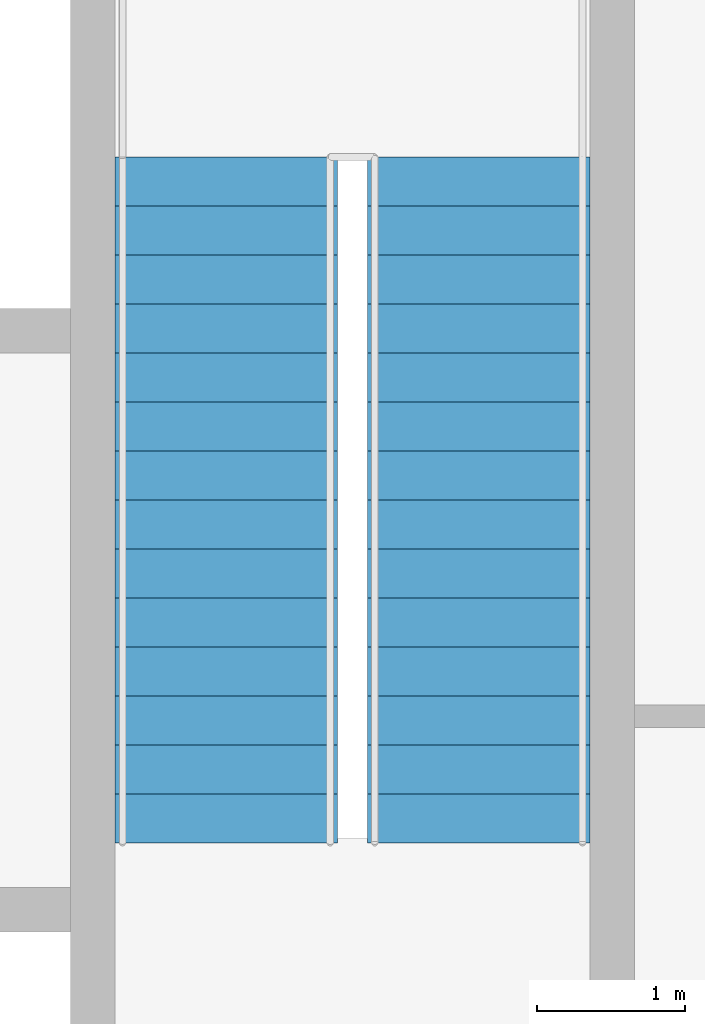
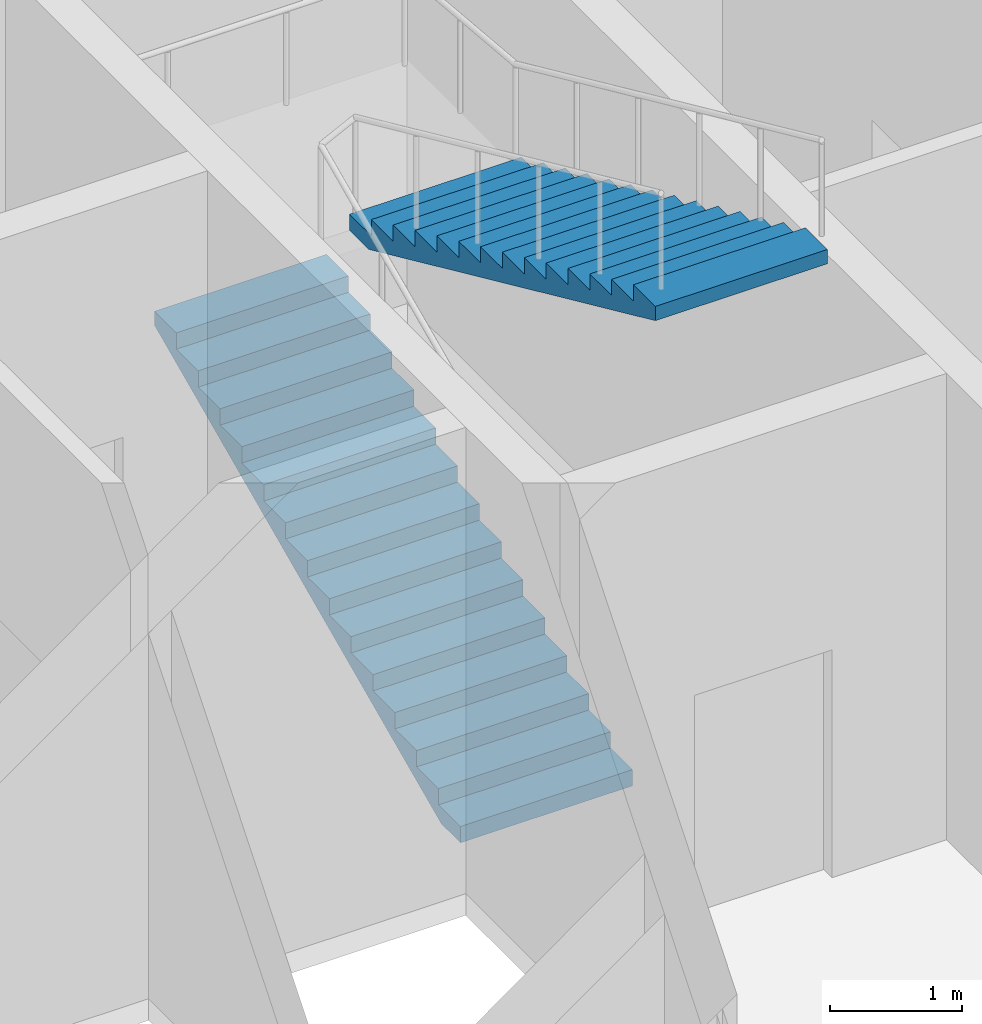
# One storey, part 10 of 11: 2 stair flights, 1 element without a shape of its own.
"""IFC4 building model written with IfcOpenShell, lengths in metres."""

from ifc_helpers import new_model, si_unit, direction, frame, origin, place, context, subcontext, project, spatial, polygons, material, type_object, element, aggregate, save


model = new_model("IFC4")

# Units and contexts
model_context = context("Model", 3, precision=1e-05, world=origin(), true_north=direction((0.0, 1.0)))
body_context = subcontext(model_context, "Body", "Model", "MODEL_VIEW")
ifc_project = project(units=[si_unit("LENGTHUNIT", "METRE"), si_unit("AREAUNIT", "SQUARE_METRE"), si_unit("VOLUMEUNIT", "CUBIC_METRE"), si_unit("PLANEANGLEUNIT", "RADIAN"), si_unit("MASSUNIT", "GRAM", prefix="KILO")], contexts=[model_context])

# Site, building, storey
site_placement = place(None, origin())
site = spatial("IfcSite", under=ifc_project, at=site_placement, CompositionType="ELEMENT")
building_placement = place(site_placement, origin())
building = spatial("IfcBuilding", under=site, at=building_placement, Name="Njiva Tower", CompositionType="ELEMENT")
storey_placement = place(building_placement, frame((0.0, 0.0, 102.3)))
storey = spatial("IfcBuildingStorey", under=building, at=storey_placement, Name="L21", CompositionType="ELEMENT", Elevation=102.3)

# Stair, stair flights
ifc_material = material(Name="Concrete C40/50", Category="concrete")
stair_type = type_object("IfcStairType", Name="ST4 Exit stair 1500", PredefinedType="HALF_TURN_STAIR", material=ifc_material)
stair_placement = place(storey_placement, origin())
stair = element("IfcStair", 1, at=stair_placement, inside=storey, type_object=stair_type, Name="Stair B", PredefinedType="HALF_TURN_STAIR")
stair_flight_type = type_object("IfcStairFlightType", Name="FL4 Stair flight 1500", PredefinedType="STRAIGHT", material=ifc_material)
stair_flight_1_placement = place(storey_placement, frame((11.75, 11.1, 0.0), z_axis=(0.0, 0.0, 1.0), x_axis=(0.0, 1.0, 0.0)))
stair_flight_1 = element("IfcStairFlight", 2, at=stair_flight_1_placement, type_object=stair_flight_type, Name="ST-B flight 1", NumberOfRisers=15, NumberOfTreads=14, PredefinedType="STRAIGHT", RiserHeight=0.15, TreadLength=0.33, context=body_context, shape_type="Tessellation", body=[
    polygons([(0.0, 0.75, 0.0), (0.0, 0.375, 0.0), (0.0, 0.0, 0.0), (0.0, -0.375, 0.0), (0.0, -0.75, 0.0), (0.0, 0.75, 0.15), (0.0, 0.375, 0.15), (0.0, 0.0, 0.15), (0.0, -0.375, 0.15), (0.0, -0.75, 0.15), (0.33, 0.75, 0.15), (0.33, 0.375, 0.15), (0.33, 0.0, 0.15), (0.33, -0.375, 0.15), (0.33, -0.75, 0.15), (0.33, 0.75, 0.3), (0.33, 0.375, 0.3), (0.33, 0.0, 0.3), (0.33, -0.375, 0.3), (0.33, -0.75, 0.3), (0.66, 0.75, 0.3), (0.66, 0.375, 0.3), (0.66, 0.0, 0.3), (0.66, -0.375, 0.3), (0.66, -0.75, 0.3), (0.66, 0.75, 0.45), (0.66, 0.375, 0.45), (0.66, 0.0, 0.45), (0.66, -0.375, 0.45), (0.66, -0.75, 0.45), (0.99, 0.75, 0.45), (0.99, 0.375, 0.45), (0.99, 0.0, 0.45), (0.99, -0.375, 0.45), (0.99, -0.75, 0.45), (0.99, 0.75, 0.6), (0.99, 0.375, 0.6), (0.99, 0.0, 0.6), (0.99, -0.375, 0.6), (0.99, -0.75, 0.6), (1.32, 0.75, 0.6), (1.32, 0.375, 0.6), (1.32, 0.0, 0.6), (1.32, -0.375, 0.6), (1.32, -0.75, 0.6), (1.32, 0.75, 0.75), (1.32, 0.375, 0.75), (1.32, 0.0, 0.75), (1.32, -0.375, 0.75), (1.32, -0.75, 0.75), (1.65, 0.75, 0.75), (1.65, 0.375, 0.75), (1.65, 0.0, 0.75), (1.65, -0.375, 0.75), (1.65, -0.75, 0.75), (1.65, 0.75, 0.9), (1.65, 0.375, 0.9), (1.65, 0.0, 0.9), (1.65, -0.375, 0.9), (1.65, -0.75, 0.9), (1.98, 0.75, 0.9), (1.98, 0.375, 0.9), (1.98, 0.0, 0.9), (1.98, -0.375, 0.9), (1.98, -0.75, 0.9), (1.98, 0.75, 1.05), (1.98, 0.375, 1.05), (1.98, 0.0, 1.05), (1.98, -0.375, 1.05), (1.98, -0.75, 1.05), (2.31, 0.75, 1.05), (2.31, 0.375, 1.05), (2.31, 0.0, 1.05), (2.31, -0.375, 1.05), (2.31, -0.75, 1.05), (2.31, 0.75, 1.2), (2.31, 0.375, 1.2), (2.31, 0.0, 1.2), (2.31, -0.375, 1.2), (2.31, -0.75, 1.2), (2.64, 0.75, 1.2), (2.64, 0.375, 1.2), (2.64, 0.0, 1.2), (2.64, -0.375, 1.2), (2.64, -0.75, 1.2), (2.64, 0.75, 1.35), (2.64, 0.375, 1.35), (2.64, 0.0, 1.35), (2.64, -0.375, 1.35), (2.64, -0.75, 1.35), (2.97, 0.75, 1.35), (2.97, 0.375, 1.35), (2.97, 0.0, 1.35), (2.97, -0.375, 1.35), (2.97, -0.75, 1.35), (2.97, 0.75, 1.5), (2.97, 0.375, 1.5), (2.97, 0.0, 1.5), (2.97, -0.375, 1.5), (2.97, -0.75, 1.5), (3.3, 0.75, 1.5), (3.3, 0.375, 1.5), (3.3, 0.0, 1.5), (3.3, -0.375, 1.5), (3.3, -0.75, 1.5), (3.3, 0.75, 1.65), (3.3, 0.375, 1.65), (3.3, 0.0, 1.65), (3.3, -0.375, 1.65), (3.3, -0.75, 1.65), (3.63, 0.75, 1.65), (3.63, 0.375, 1.65), (3.63, 0.0, 1.65), (3.63, -0.375, 1.65), (3.63, -0.75, 1.65), (3.63, 0.75, 1.8), (3.63, 0.375, 1.8), (3.63, 0.0, 1.8), (3.63, -0.375, 1.8), (3.63, -0.75, 1.8), (3.96, 0.75, 1.8), (3.96, 0.375, 1.8), (3.96, 0.0, 1.8), (3.96, -0.375, 1.8), (3.96, -0.75, 1.8), (3.96, 0.75, 1.95), (3.96, 0.375, 1.95), (3.96, 0.0, 1.95), (3.96, -0.375, 1.95), (3.96, -0.75, 1.95), (4.29, 0.75, 1.95), (4.29, 0.375, 1.95), (4.29, 0.0, 1.95), (4.29, -0.375, 1.95), (4.29, -0.75, 1.95), (4.29, 0.75, 2.1), (4.29, 0.375, 2.1), (4.29, 0.0, 2.1), (4.29, -0.375, 2.1), (4.29, -0.75, 2.1), (4.62, 0.75, 2.1), (4.62, 0.375, 2.1), (4.62, 0.0, 2.1), (4.62, -0.375, 2.1), (4.62, -0.75, 2.1), (4.62, 0.75, 1.9682), (4.62, 0.375, 1.9682), (4.62, 0.0, 1.9682), (4.62, -0.375, 1.9682), (4.62, -0.75, 1.9682), (0.29, 0.75, 0.0), (0.29, 0.375, 0.0), (0.29, 0.0, 0.0), (0.29, -0.375, 0.0), (0.29, -0.75, 0.0)], [[[1, 6, 11, 16, 21, 26, 31, 36, 41, 46, 51, 56, 61, 66, 71, 76, 81, 86, 91, 96, 101, 106, 111, 116, 121, 126, 131, 136, 141, 146, 151]], [[155, 150, 145, 140, 135, 130, 125, 120, 115, 110, 105, 100, 95, 90, 85, 80, 75, 70, 65, 60, 55, 50, 45, 40, 35, 30, 25, 20, 15, 10, 5]], [[6, 1, 2, 7]], [[7, 2, 3, 8]], [[8, 3, 4, 9]], [[9, 4, 5, 10]], [[11, 6, 7, 12]], [[12, 7, 8, 13]], [[13, 8, 9, 14]], [[14, 9, 10, 15]], [[16, 11, 12, 17]], [[17, 12, 13, 18]], [[18, 13, 14, 19]], [[19, 14, 15, 20]], [[21, 16, 17, 22]], [[22, 17, 18, 23]], [[23, 18, 19, 24]], [[24, 19, 20, 25]], [[26, 21, 22, 27]], [[27, 22, 23, 28]], [[28, 23, 24, 29]], [[29, 24, 25, 30]], [[31, 26, 27, 32]], [[32, 27, 28, 33]], [[33, 28, 29, 34]], [[34, 29, 30, 35]], [[36, 31, 32, 37]], [[37, 32, 33, 38]], [[38, 33, 34, 39]], [[39, 34, 35, 40]], [[41, 36, 37, 42]], [[42, 37, 38, 43]], [[43, 38, 39, 44]], [[44, 39, 40, 45]], [[46, 41, 42, 47]], [[47, 42, 43, 48]], [[48, 43, 44, 49]], [[49, 44, 45, 50]], [[51, 46, 47, 52]], [[52, 47, 48, 53]], [[53, 48, 49, 54]], [[54, 49, 50, 55]], [[56, 51, 52, 57]], [[57, 52, 53, 58]], [[58, 53, 54, 59]], [[59, 54, 55, 60]], [[61, 56, 57, 62]], [[62, 57, 58, 63]], [[63, 58, 59, 64]], [[64, 59, 60, 65]], [[66, 61, 62, 67]], [[67, 62, 63, 68]], [[68, 63, 64, 69]], [[69, 64, 65, 70]], [[71, 66, 67, 72]], [[72, 67, 68, 73]], [[73, 68, 69, 74]], [[74, 69, 70, 75]], [[76, 71, 72, 77]], [[77, 72, 73, 78]], [[78, 73, 74, 79]], [[79, 74, 75, 80]], [[81, 76, 77, 82]], [[82, 77, 78, 83]], [[83, 78, 79, 84]], [[84, 79, 80, 85]], [[86, 81, 82, 87]], [[87, 82, 83, 88]], [[88, 83, 84, 89]], [[89, 84, 85, 90]], [[91, 86, 87, 92]], [[92, 87, 88, 93]], [[93, 88, 89, 94]], [[94, 89, 90, 95]], [[96, 91, 92, 97]], [[97, 92, 93, 98]], [[98, 93, 94, 99]], [[99, 94, 95, 100]], [[101, 96, 97, 102]], [[102, 97, 98, 103]], [[103, 98, 99, 104]], [[104, 99, 100, 105]], [[106, 101, 102, 107]], [[107, 102, 103, 108]], [[108, 103, 104, 109]], [[109, 104, 105, 110]], [[111, 106, 107, 112]], [[112, 107, 108, 113]], [[113, 108, 109, 114]], [[114, 109, 110, 115]], [[116, 111, 112, 117]], [[117, 112, 113, 118]], [[118, 113, 114, 119]], [[119, 114, 115, 120]], [[121, 116, 117, 122]], [[122, 117, 118, 123]], [[123, 118, 119, 124]], [[124, 119, 120, 125]], [[126, 121, 122, 127]], [[127, 122, 123, 128]], [[128, 123, 124, 129]], [[129, 124, 125, 130]], [[131, 126, 127, 132]], [[132, 127, 128, 133]], [[133, 128, 129, 134]], [[134, 129, 130, 135]], [[136, 131, 132, 137]], [[137, 132, 133, 138]], [[138, 133, 134, 139]], [[139, 134, 135, 140]], [[141, 136, 137, 142]], [[142, 137, 138, 143]], [[143, 138, 139, 144]], [[144, 139, 140, 145]], [[146, 141, 142, 147]], [[147, 142, 143, 148]], [[148, 143, 144, 149]], [[149, 144, 145, 150]], [[151, 146, 147, 152]], [[152, 147, 148, 153]], [[153, 148, 149, 154]], [[154, 149, 150, 155]], [[1, 151, 152, 2]], [[2, 152, 153, 3]], [[3, 153, 154, 4]], [[4, 154, 155, 5]]], closed=True),
])
stair_flight_2_placement = place(storey_placement, frame((13.45, 15.72, 2.25), z_axis=(0.0, 0.0, 1.0), x_axis=(0.0, -1.0, 0.0)))
stair_flight_2 = element("IfcStairFlight", 3, at=stair_flight_2_placement, type_object=stair_flight_type, Name="ST-B flight 2", NumberOfRisers=15, NumberOfTreads=14, PredefinedType="STRAIGHT", RiserHeight=0.15, TreadLength=0.33, context=body_context, shape_type="Tessellation", body=[
    polygons([(0.0, 0.75, 0.0), (0.0, 0.375, 0.0), (0.0, 0.0, 0.0), (0.0, -0.375, 0.0), (0.0, -0.75, 0.0), (0.0, 0.75, 0.15), (0.0, 0.375, 0.15), (0.0, 0.0, 0.15), (0.0, -0.375, 0.15), (0.0, -0.75, 0.15), (0.33, 0.75, 0.15), (0.33, 0.375, 0.15), (0.33, 0.0, 0.15), (0.33, -0.375, 0.15), (0.33, -0.75, 0.15), (0.33, 0.75, 0.3), (0.33, 0.375, 0.3), (0.33, 0.0, 0.3), (0.33, -0.375, 0.3), (0.33, -0.75, 0.3), (0.66, 0.75, 0.3), (0.66, 0.375, 0.3), (0.66, 0.0, 0.3), (0.66, -0.375, 0.3), (0.66, -0.75, 0.3), (0.66, 0.75, 0.45), (0.66, 0.375, 0.45), (0.66, 0.0, 0.45), (0.66, -0.375, 0.45), (0.66, -0.75, 0.45), (0.99, 0.75, 0.45), (0.99, 0.375, 0.45), (0.99, 0.0, 0.45), (0.99, -0.375, 0.45), (0.99, -0.75, 0.45), (0.99, 0.75, 0.6), (0.99, 0.375, 0.6), (0.99, 0.0, 0.6), (0.99, -0.375, 0.6), (0.99, -0.75, 0.6), (1.32, 0.75, 0.6), (1.32, 0.375, 0.6), (1.32, 0.0, 0.6), (1.32, -0.375, 0.6), (1.32, -0.75, 0.6), (1.32, 0.75, 0.75), (1.32, 0.375, 0.75), (1.32, 0.0, 0.75), (1.32, -0.375, 0.75), (1.32, -0.75, 0.75), (1.65, 0.75, 0.75), (1.65, 0.375, 0.75), (1.65, 0.0, 0.75), (1.65, -0.375, 0.75), (1.65, -0.75, 0.75), (1.65, 0.75, 0.9), (1.65, 0.375, 0.9), (1.65, 0.0, 0.9), (1.65, -0.375, 0.9), (1.65, -0.75, 0.9), (1.98, 0.75, 0.9), (1.98, 0.375, 0.9), (1.98, 0.0, 0.9), (1.98, -0.375, 0.9), (1.98, -0.75, 0.9), (1.98, 0.75, 1.05), (1.98, 0.375, 1.05), (1.98, 0.0, 1.05), (1.98, -0.375, 1.05), (1.98, -0.75, 1.05), (2.31, 0.75, 1.05), (2.31, 0.375, 1.05), (2.31, 0.0, 1.05), (2.31, -0.375, 1.05), (2.31, -0.75, 1.05), (2.31, 0.75, 1.2), (2.31, 0.375, 1.2), (2.31, 0.0, 1.2), (2.31, -0.375, 1.2), (2.31, -0.75, 1.2), (2.64, 0.75, 1.2), (2.64, 0.375, 1.2), (2.64, 0.0, 1.2), (2.64, -0.375, 1.2), (2.64, -0.75, 1.2), (2.64, 0.75, 1.35), (2.64, 0.375, 1.35), (2.64, 0.0, 1.35), (2.64, -0.375, 1.35), (2.64, -0.75, 1.35), (2.97, 0.75, 1.35), (2.97, 0.375, 1.35), (2.97, 0.0, 1.35), (2.97, -0.375, 1.35), (2.97, -0.75, 1.35), (2.97, 0.75, 1.5), (2.97, 0.375, 1.5), (2.97, 0.0, 1.5), (2.97, -0.375, 1.5), (2.97, -0.75, 1.5), (3.3, 0.75, 1.5), (3.3, 0.375, 1.5), (3.3, 0.0, 1.5), (3.3, -0.375, 1.5), (3.3, -0.75, 1.5), (3.3, 0.75, 1.65), (3.3, 0.375, 1.65), (3.3, 0.0, 1.65), (3.3, -0.375, 1.65), (3.3, -0.75, 1.65), (3.63, 0.75, 1.65), (3.63, 0.375, 1.65), (3.63, 0.0, 1.65), (3.63, -0.375, 1.65), (3.63, -0.75, 1.65), (3.63, 0.75, 1.8), (3.63, 0.375, 1.8), (3.63, 0.0, 1.8), (3.63, -0.375, 1.8), (3.63, -0.75, 1.8), (3.96, 0.75, 1.8), (3.96, 0.375, 1.8), (3.96, 0.0, 1.8), (3.96, -0.375, 1.8), (3.96, -0.75, 1.8), (3.96, 0.75, 1.95), (3.96, 0.375, 1.95), (3.96, 0.0, 1.95), (3.96, -0.375, 1.95), (3.96, -0.75, 1.95), (4.29, 0.75, 1.95), (4.29, 0.375, 1.95), (4.29, 0.0, 1.95), (4.29, -0.375, 1.95), (4.29, -0.75, 1.95), (4.29, 0.75, 2.1), (4.29, 0.375, 2.1), (4.29, 0.0, 2.1), (4.29, -0.375, 2.1), (4.29, -0.75, 2.1), (4.62, 0.75, 2.1), (4.62, 0.375, 2.1), (4.62, 0.0, 2.1), (4.62, -0.375, 2.1), (4.62, -0.75, 2.1), (4.62, 0.75, 1.9682), (4.62, 0.375, 1.9682), (4.62, 0.0, 1.9682), (4.62, -0.375, 1.9682), (4.62, -0.75, 1.9682), (0.29, 0.75, 0.0), (0.29, 0.375, 0.0), (0.29, 0.0, 0.0), (0.29, -0.375, 0.0), (0.29, -0.75, 0.0)], [[[1, 6, 11, 16, 21, 26, 31, 36, 41, 46, 51, 56, 61, 66, 71, 76, 81, 86, 91, 96, 101, 106, 111, 116, 121, 126, 131, 136, 141, 146, 151]], [[155, 150, 145, 140, 135, 130, 125, 120, 115, 110, 105, 100, 95, 90, 85, 80, 75, 70, 65, 60, 55, 50, 45, 40, 35, 30, 25, 20, 15, 10, 5]], [[6, 1, 2, 7]], [[7, 2, 3, 8]], [[8, 3, 4, 9]], [[9, 4, 5, 10]], [[11, 6, 7, 12]], [[12, 7, 8, 13]], [[13, 8, 9, 14]], [[14, 9, 10, 15]], [[16, 11, 12, 17]], [[17, 12, 13, 18]], [[18, 13, 14, 19]], [[19, 14, 15, 20]], [[21, 16, 17, 22]], [[22, 17, 18, 23]], [[23, 18, 19, 24]], [[24, 19, 20, 25]], [[26, 21, 22, 27]], [[27, 22, 23, 28]], [[28, 23, 24, 29]], [[29, 24, 25, 30]], [[31, 26, 27, 32]], [[32, 27, 28, 33]], [[33, 28, 29, 34]], [[34, 29, 30, 35]], [[36, 31, 32, 37]], [[37, 32, 33, 38]], [[38, 33, 34, 39]], [[39, 34, 35, 40]], [[41, 36, 37, 42]], [[42, 37, 38, 43]], [[43, 38, 39, 44]], [[44, 39, 40, 45]], [[46, 41, 42, 47]], [[47, 42, 43, 48]], [[48, 43, 44, 49]], [[49, 44, 45, 50]], [[51, 46, 47, 52]], [[52, 47, 48, 53]], [[53, 48, 49, 54]], [[54, 49, 50, 55]], [[56, 51, 52, 57]], [[57, 52, 53, 58]], [[58, 53, 54, 59]], [[59, 54, 55, 60]], [[61, 56, 57, 62]], [[62, 57, 58, 63]], [[63, 58, 59, 64]], [[64, 59, 60, 65]], [[66, 61, 62, 67]], [[67, 62, 63, 68]], [[68, 63, 64, 69]], [[69, 64, 65, 70]], [[71, 66, 67, 72]], [[72, 67, 68, 73]], [[73, 68, 69, 74]], [[74, 69, 70, 75]], [[76, 71, 72, 77]], [[77, 72, 73, 78]], [[78, 73, 74, 79]], [[79, 74, 75, 80]], [[81, 76, 77, 82]], [[82, 77, 78, 83]], [[83, 78, 79, 84]], [[84, 79, 80, 85]], [[86, 81, 82, 87]], [[87, 82, 83, 88]], [[88, 83, 84, 89]], [[89, 84, 85, 90]], [[91, 86, 87, 92]], [[92, 87, 88, 93]], [[93, 88, 89, 94]], [[94, 89, 90, 95]], [[96, 91, 92, 97]], [[97, 92, 93, 98]], [[98, 93, 94, 99]], [[99, 94, 95, 100]], [[101, 96, 97, 102]], [[102, 97, 98, 103]], [[103, 98, 99, 104]], [[104, 99, 100, 105]], [[106, 101, 102, 107]], [[107, 102, 103, 108]], [[108, 103, 104, 109]], [[109, 104, 105, 110]], [[111, 106, 107, 112]], [[112, 107, 108, 113]], [[113, 108, 109, 114]], [[114, 109, 110, 115]], [[116, 111, 112, 117]], [[117, 112, 113, 118]], [[118, 113, 114, 119]], [[119, 114, 115, 120]], [[121, 116, 117, 122]], [[122, 117, 118, 123]], [[123, 118, 119, 124]], [[124, 119, 120, 125]], [[126, 121, 122, 127]], [[127, 122, 123, 128]], [[128, 123, 124, 129]], [[129, 124, 125, 130]], [[131, 126, 127, 132]], [[132, 127, 128, 133]], [[133, 128, 129, 134]], [[134, 129, 130, 135]], [[136, 131, 132, 137]], [[137, 132, 133, 138]], [[138, 133, 134, 139]], [[139, 134, 135, 140]], [[141, 136, 137, 142]], [[142, 137, 138, 143]], [[143, 138, 139, 144]], [[144, 139, 140, 145]], [[146, 141, 142, 147]], [[147, 142, 143, 148]], [[148, 143, 144, 149]], [[149, 144, 145, 150]], [[151, 146, 147, 152]], [[152, 147, 148, 153]], [[153, 148, 149, 154]], [[154, 149, 150, 155]], [[1, 151, 152, 2]], [[2, 152, 153, 3]], [[3, 153, 154, 4]], [[4, 154, 155, 5]]], closed=True),
])
aggregate(stair, [stair_flight_1, stair_flight_2])

save(model, "model.ifc")
